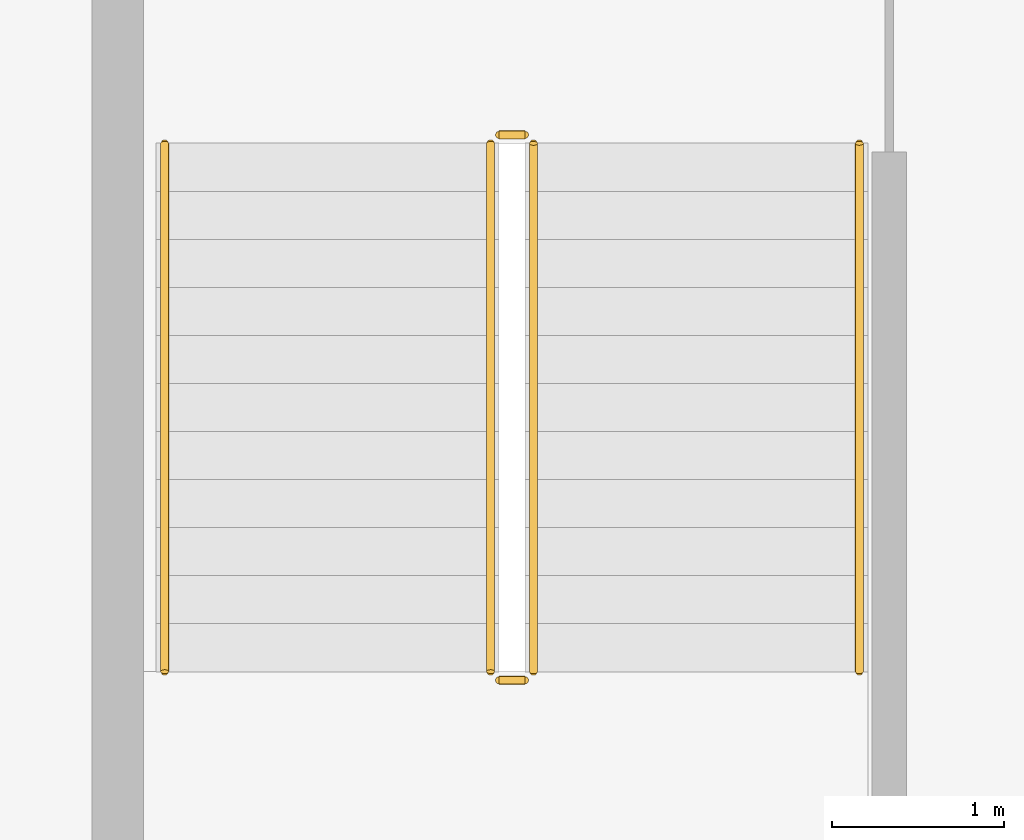
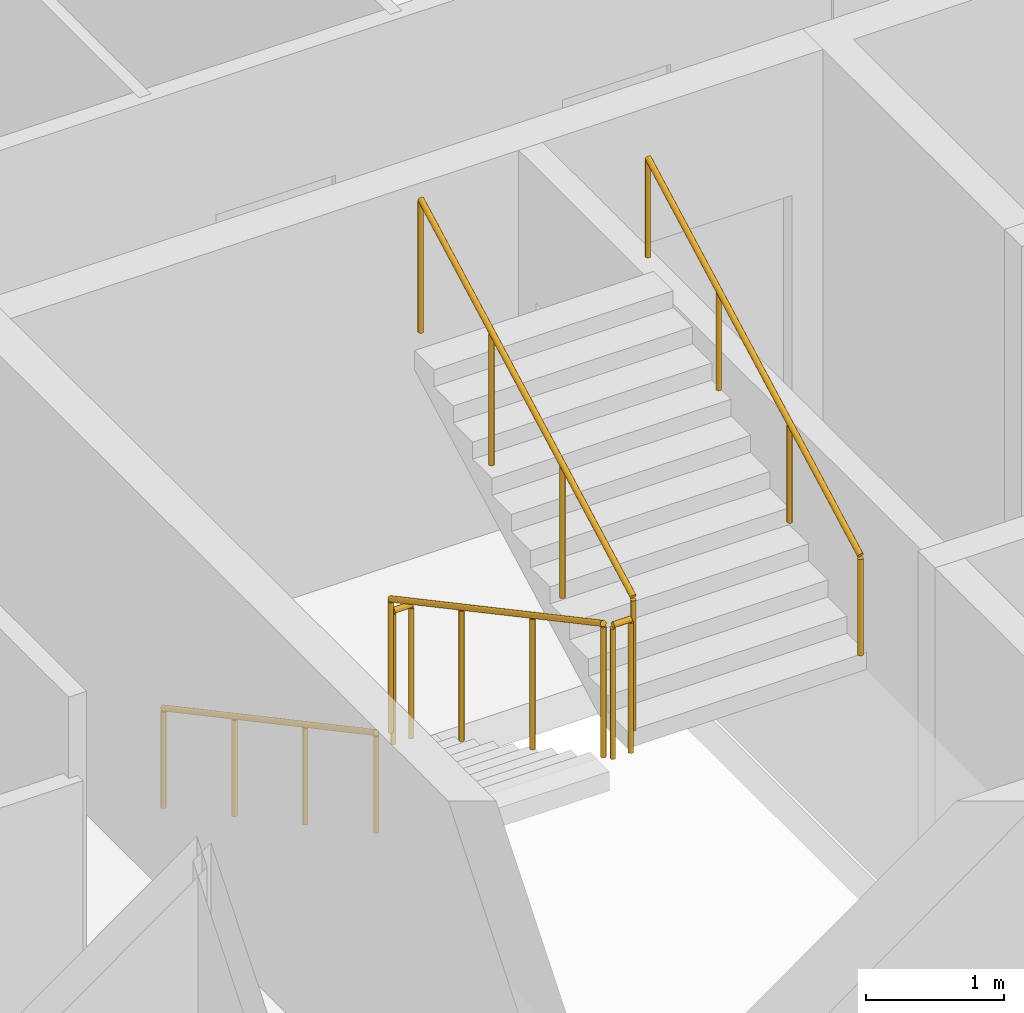
# One storey, part 13 of 15: 6 railings.
"""IFC4 building model written with IfcOpenShell, lengths in metres."""

from ifc_helpers import new_model, si_unit, direction, frame, origin, origin_2d, place, context, subcontext, project, spatial, circle, extrude, material, type_object, element, save


model = new_model("IFC4")

# Units and contexts
model_context = context("Model", 3, precision=1e-05, world=origin(), true_north=direction((0.0, 1.0)))
body_context = subcontext(model_context, "Body", "Model", "MODEL_VIEW")
ifc_project = project(units=[si_unit("LENGTHUNIT", "METRE"), si_unit("AREAUNIT", "SQUARE_METRE"), si_unit("VOLUMEUNIT", "CUBIC_METRE"), si_unit("PLANEANGLEUNIT", "RADIAN"), si_unit("MASSUNIT", "GRAM", prefix="KILO")], contexts=[model_context])

# Site, building, storey
site_placement = place(None, origin())
site = spatial("IfcSite", under=ifc_project, at=site_placement, CompositionType="ELEMENT")
building_placement = place(site_placement, origin())
building = spatial("IfcBuilding", under=site, at=building_placement, Name="Caravel Reach Hotel and Residences", CompositionType="ELEMENT")
storey_placement = place(building_placement, frame((0.0, 0.0, 70.800048828125)))
storey = spatial("IfcBuildingStorey", under=building, at=storey_placement, Name="L16", CompositionType="ELEMENT", Elevation=70.800048828125)

# Railings
ifc_material_1 = material(Name="Steel balustrade with glass infill", Category="steel")
railing_type_1 = type_object("IfcRailingType", Name="Guard 1200", PredefinedType="GUARDRAIL", material=ifc_material_1)
railing_1_placement = place(storey_placement, frame((20.175048828125, 29.35009765625, 0.14990234375)))
element("IfcRailing", 1, at=railing_1_placement, inside=storey, type_object=railing_type_1, Name="L16 ST-A stair guard 1", PredefinedType="GUARDRAIL", context=body_context, shape_type="SweptSolid", body=[
    extrude(circle(Radius=0.02392578125, at=origin_2d()), frame((0.0, 0.0, 1.17578125), z_axis=(0.0, -0.881467505477, 0.472244678941), x_axis=(1.0, 0.0, 0.0)), (0.0, 0.0, 1.0), 3.494140625),
    extrude(circle(Radius=0.02099609375, at=origin_2d()), origin(), (0.0, 0.0, 1.0), 1.15185546875),
    extrude(circle(Radius=0.02099609375, at=origin_2d()), frame((0.0, -1.026611328125, 0.550048828125)), (0.0, 0.0, 1.0), 1.15185546875),
    extrude(circle(Radius=0.02099609375, at=origin_2d()), frame((0.0, -2.053466796875, 1.10009765625)), (0.0, 0.0, 1.0), 1.15185546875),
    extrude(circle(Radius=0.02099609375, at=origin_2d()), frame((0.0, -3.080078125, 1.650146484375)), (0.0, 0.0, 1.0), 1.15185546875),
])
railing_2_placement = place(storey_placement, frame((20.22509765625, 26.219970703125, 1.800048828125)))
element("IfcRailing", 2, at=railing_2_placement, inside=storey, type_object=railing_type_1, Name="L16 ST-A stair guard 2", PredefinedType="GUARDRAIL", context=body_context, shape_type="SweptSolid", body=[
    extrude(circle(Radius=0.02392578125, at=origin_2d()), frame((0.0, 0.0, 1.17578125), z_axis=(1.0, 0.0, 0.0), x_axis=(0.0, 1.0, 0.0)), (0.0, 0.0, 1.0), 0.14990234375),
    extrude(circle(Radius=0.02099609375, at=origin_2d()), origin(), (0.0, 0.0, 1.0), 1.15185546875),
    extrude(circle(Radius=0.02099609375, at=origin_2d()), frame((0.14990234375, 0.0, 0.0)), (0.0, 0.0, 1.0), 1.15185546875),
])
railing_3_placement = place(storey_placement, frame((20.425048828125, 26.27001953125, 1.949951171875)))
element("IfcRailing", 3, at=railing_3_placement, inside=storey, type_object=railing_type_1, Name="L16 ST-A stair guard 3", PredefinedType="GUARDRAIL", context=body_context, shape_type="SweptSolid", body=[
    extrude(circle(Radius=0.02392578125, at=origin_2d()), frame((0.0, 0.0, 1.17578125), z_axis=(0.0, 0.881496589024, 0.472190389079), x_axis=(-1.0, 0.0, 0.0)), (0.0, 0.0, 1.0), 3.494140625),
    extrude(circle(Radius=0.02099609375, at=origin_2d()), origin(), (0.0, 0.0, 1.0), 1.15185546875),
    extrude(circle(Radius=0.02099609375, at=origin_2d()), frame((0.0, 1.026611328125, 0.550048828125)), (0.0, 0.0, 1.0), 1.15185546875),
    extrude(circle(Radius=0.02099609375, at=origin_2d()), frame((0.0, 2.053466796875, 1.099853515625)), (0.0, 0.0, 1.0), 1.15185546875),
    extrude(circle(Radius=0.02099609375, at=origin_2d()), frame((0.0, 3.080078125, 1.64990234375)), (0.0, 0.0, 1.0), 1.15185546875),
])
railing_4_placement = place(storey_placement, frame((20.22509765625, 29.39990234375, 0.0)))
element("IfcRailing", 4, at=railing_4_placement, inside=storey, type_object=railing_type_1, Name="L16 ST-A stair guard 4", PredefinedType="GUARDRAIL", context=body_context, shape_type="SweptSolid", body=[
    extrude(circle(Radius=0.02392578125, at=origin_2d()), frame((0.0, 0.0, 1.17578125), z_axis=(1.0, 0.0, 0.0), x_axis=(0.0, 1.0, 0.0)), (0.0, 0.0, 1.0), 0.14990234375),
    extrude(circle(Radius=0.02099609375, at=origin_2d()), origin(), (0.0, 0.0, 1.0), 1.15185546875),
    extrude(circle(Radius=0.02099609375, at=origin_2d()), frame((0.14990234375, 0.0, 0.0)), (0.0, 0.0, 1.0), 1.15185546875),
])
ifc_material_2 = material(Name="Stainless steel handrail", Category="steel")
railing_type_2 = type_object("IfcRailingType", Name="Handrail 900", PredefinedType="HANDRAIL", material=ifc_material_2)
railing_5_placement = place(storey_placement, frame((18.27490234375, 29.35009765625, 0.14990234375)))
element("IfcRailing", 5, at=railing_5_placement, inside=storey, type_object=railing_type_2, Name="L16 ST-A stair handrail 1", PredefinedType="HANDRAIL", context=body_context, shape_type="SweptSolid", body=[
    extrude(circle(Radius=0.02392578125, at=origin_2d()), frame((0.0, 0.0, 0.8759765625), z_axis=(0.0, -0.881467505477, 0.472244678941), x_axis=(1.0, 0.0, 0.0)), (0.0, 0.0, 1.0), 3.494140625),
    extrude(circle(Radius=0.02099609375, at=origin_2d()), origin(), (0.0, 0.0, 1.0), 0.851806640625),
    extrude(circle(Radius=0.02099609375, at=origin_2d()), frame((0.0, -1.026611328125, 0.550048828125)), (0.0, 0.0, 1.0), 0.851806640625),
    extrude(circle(Radius=0.02099609375, at=origin_2d()), frame((0.0, -2.053466796875, 1.10009765625)), (0.0, 0.0, 1.0), 0.851806640625),
    extrude(circle(Radius=0.02099609375, at=origin_2d()), frame((0.0, -3.080078125, 1.650146484375)), (0.0, 0.0, 1.0), 0.851806640625),
])
railing_6_placement = place(storey_placement, frame((22.324951171875, 26.27001953125, 1.949951171875)))
element("IfcRailing", 6, at=railing_6_placement, inside=storey, type_object=railing_type_2, Name="L16 ST-A stair handrail 2", PredefinedType="HANDRAIL", context=body_context, shape_type="SweptSolid", body=[
    extrude(circle(Radius=0.02392578125, at=origin_2d()), frame((0.0, 0.0, 0.8759765625), z_axis=(0.0, 0.881496589024, 0.472190389079), x_axis=(-1.0, 0.0, 0.0)), (0.0, 0.0, 1.0), 3.494140625),
    extrude(circle(Radius=0.02099609375, at=origin_2d()), origin(), (0.0, 0.0, 1.0), 0.851806640625),
    extrude(circle(Radius=0.02099609375, at=origin_2d()), frame((0.0, 1.026611328125, 0.550048828125)), (0.0, 0.0, 1.0), 0.851806640625),
    extrude(circle(Radius=0.02099609375, at=origin_2d()), frame((0.0, 2.053466796875, 1.099853515625)), (0.0, 0.0, 1.0), 0.851806640625),
    extrude(circle(Radius=0.02099609375, at=origin_2d()), frame((0.0, 3.080078125, 1.64990234375)), (0.0, 0.0, 1.0), 0.851806640625),
])

save(model, "model.ifc")
